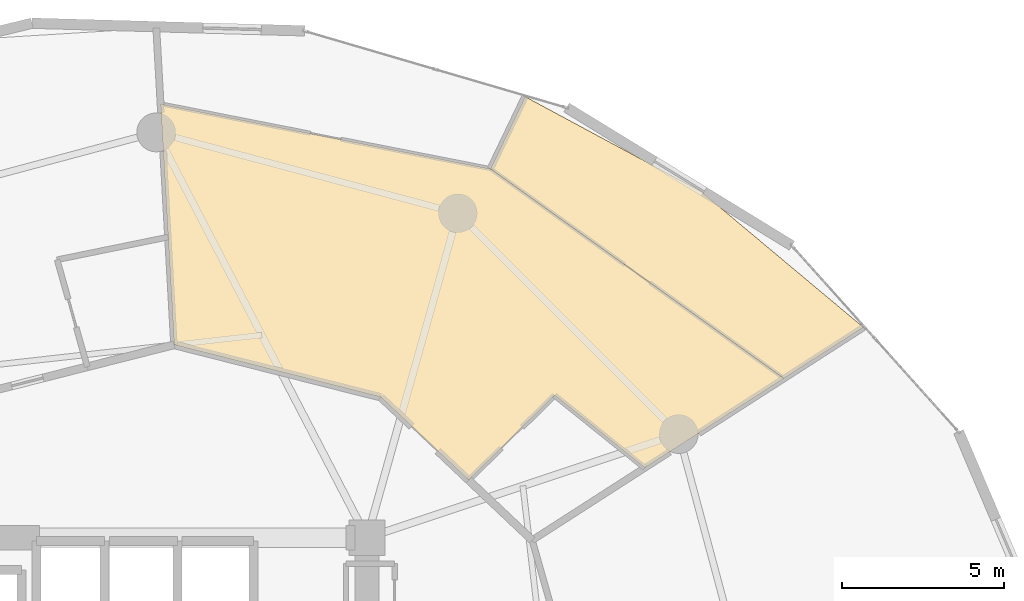
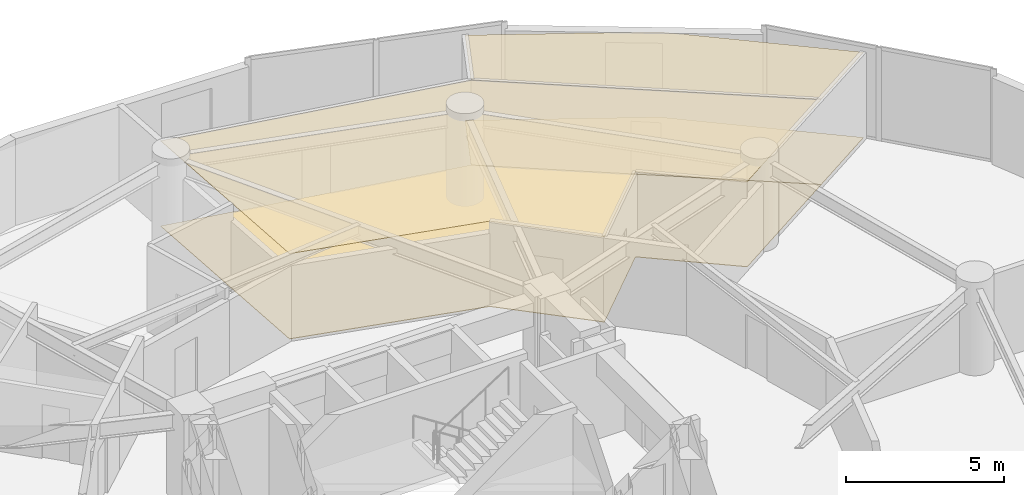
# One storey, part 23 of 23: 4 coverings.
"""IFC4 building model written with IfcOpenShell, lengths in metres."""

from ifc_helpers import new_model, si_unit, direction, frame, origin, place, context, subcontext, project, spatial, polyline, outline, extrude, material, layer, layer_set, type_object, element, save


model = new_model("IFC4")

# Units and contexts
model_context = context("Model", 3, precision=1e-05, world=origin(), true_north=direction((0.0, 1.0)))
body_context = subcontext(model_context, "Body", "Model", "MODEL_VIEW")
ifc_project = project(units=[si_unit("LENGTHUNIT", "METRE"), si_unit("AREAUNIT", "SQUARE_METRE"), si_unit("VOLUMEUNIT", "CUBIC_METRE"), si_unit("PLANEANGLEUNIT", "RADIAN"), si_unit("MASSUNIT", "GRAM", prefix="KILO")], contexts=[model_context])

# Site, building, storey
site_placement = place(None, origin())
site = spatial("IfcSite", under=ifc_project, at=site_placement, CompositionType="ELEMENT")
building_placement = place(site_placement, origin())
building = spatial("IfcBuilding", under=site, at=building_placement, Name="Solvirekh Grand Hotel", CompositionType="ELEMENT")
storey_placement = place(building_placement, frame((0.0, 0.0, 42.800048828125)))
storey = spatial("IfcBuildingStorey", under=building, at=storey_placement, Name="L09", CompositionType="ELEMENT", Elevation=42.800048828125)

# Coverings
ifc_material_1 = material(Name="Acoustic Mineral Ceiling Tile")
ifc_layer_1 = layer(ifc_material_1, 0.02490234375)
ifc_layer_set_1 = layer_set([ifc_layer_1], Name="Acoustic Mineral Ceiling Tile")
covering_type_1 = type_object("IfcCoveringType", Name="Cov_Ceiling_Acoustic", PredefinedType="CEILING", material=ifc_layer_set_1)
covering_1_placement = place(storey_placement, frame((0.0, 0.0, 3.2900390625)))
element("IfcCovering", 1, at=covering_1_placement, inside=storey, type_object=covering_type_1, Name="L09 Executive Suite 1101 Living Room acoustic ceiling", PredefinedType="CEILING", context=body_context, shape_type="SweptSolid", body=[
    extrude(outline(polyline([(12.281005859375, 10.4951171875), (15.06396484375, 8.257080078125), (19.35400390625, 11.013916015625), (10.305908203125, 17.47705078125), (0.132080078125, 19.47509765625), (0.550048828125, 12.050048828125), (6.925048828125, 10.43603515625), (9.632080078125, 7.8779296875), (12.281005859375, 10.4951171875)])), origin(), (0.0, 0.0, 1.0), 0.017822265625),
])
covering_2_placement = place(storey_placement, frame((0.0, 0.0, 3.2900390625)))
element("IfcCovering", 2, at=covering_2_placement, inside=storey, type_object=covering_type_1, Name="L09 Executive Suite 1101 Master Bedroom acoustic ceiling", PredefinedType="CEILING", context=body_context, shape_type="SweptSolid", body=[
    extrude(outline(polyline([(21.804931640625, 12.589111328125), (16.787109375, 16.787109375), (11.3740234375, 19.700927734375), (10.305908203125, 17.47705078125), (19.35400390625, 11.013916015625), (21.804931640625, 12.589111328125)])), origin(), (0.0, 0.0, 1.0), 0.017822265625),
])
ifc_material_2 = material(Name="Porcelain Stoneware Flooring", Category="masonry")
ifc_layer_2 = layer(ifc_material_2, 0.030029296875)
ifc_layer_set_2 = layer_set([ifc_layer_2], Name="Porcelain Stoneware Flooring")
covering_type_2 = type_object("IfcCoveringType", Name="Cov_Floor_Stone", PredefinedType="FLOORING", material=ifc_layer_set_2)
covering_3_placement = place(storey_placement, origin())
element("IfcCovering", 3, at=covering_3_placement, inside=storey, type_object=covering_type_2, Name="L09 Executive Suite 1101 Living Room polished granite flooring", PredefinedType="FLOORING", context=body_context, shape_type="SweptSolid", body=[
    extrude(outline(polyline([(12.281005859375, 10.4951171875), (15.06396484375, 8.257080078125), (19.35400390625, 11.013916015625), (10.305908203125, 17.47705078125), (0.132080078125, 19.47509765625), (0.550048828125, 12.050048828125), (6.925048828125, 10.43603515625), (9.632080078125, 7.8779296875), (12.281005859375, 10.4951171875)])), origin(), (0.0, 0.0, 1.0), 0.02001953125),
])
covering_4_placement = place(storey_placement, origin())
element("IfcCovering", 4, at=covering_4_placement, inside=storey, type_object=covering_type_2, Name="L09 Executive Suite 1101 Master Bedroom polished granite flooring", PredefinedType="FLOORING", context=body_context, shape_type="SweptSolid", body=[
    extrude(outline(polyline([(21.804931640625, 12.589111328125), (16.787109375, 16.787109375), (11.3740234375, 19.700927734375), (10.305908203125, 17.47705078125), (19.35400390625, 11.013916015625), (21.804931640625, 12.589111328125)])), origin(), (0.0, 0.0, 1.0), 0.02001953125),
])

save(model, "model.ifc")
